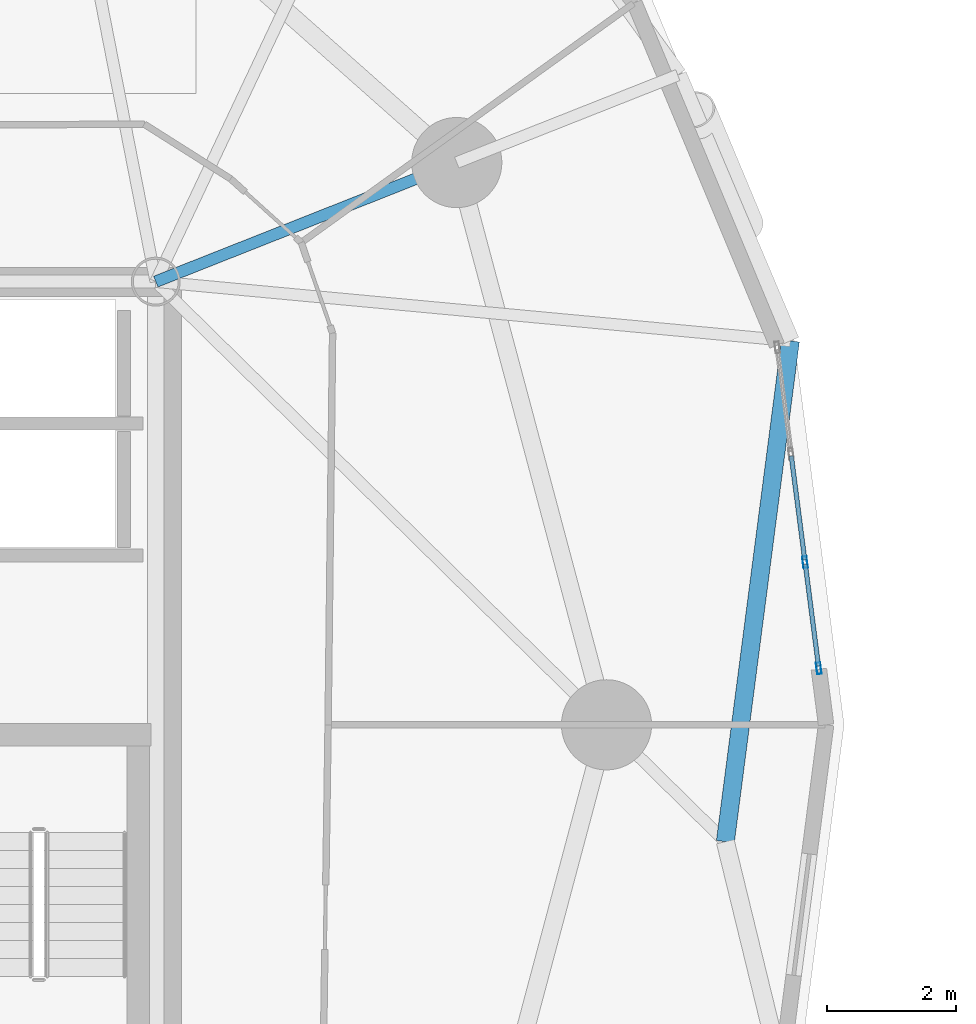
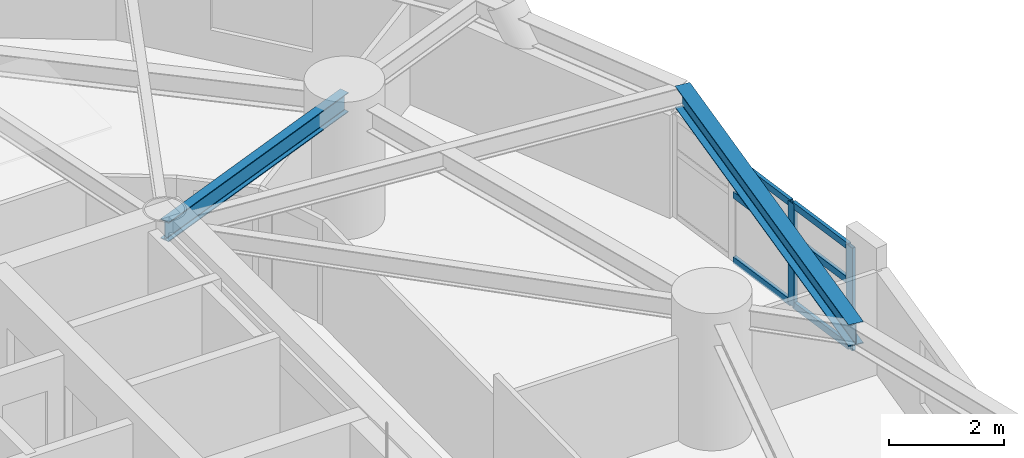
# One storey, part 2 of 17: 8 members, 2 beams, 1 element without a shape of its own.
"""IFC4 building model written with IfcOpenShell, lengths in metres."""

import ifcopenshell
import ifcopenshell.guid

model = None  # the IFC model being written
_history = None  # IfcOwnerHistory: only IFC2X3 demands one
_inside = {}  # id of a spatial element -> (the spatial element, [elements in it])
_under = {}  # id of a project, library or spatial element -> (it, [spatial elements below it])
_declared = {}  # id of a project -> (the project, [libraries it declares])
_typed = {}  # id of a type object -> (the type object, [elements of that type])
_made_of = {}  # id of a material, layer set ... -> (it, [elements and type objects made of it])


def new_model(schema):
    """Start an empty IFC model of exactly this schema.

    Asked for "IFC4X3", IfcOpenShell would pick the latest addendum, in which some entities
    have other attributes; the version numbers below select the first issue.
    IFC2X3 requires an IfcOwnerHistory on every rooted entity: one is made here for all.
    """
    global model, _history
    if schema == "IFC4X3":
        model = ifcopenshell.file(schema_version=(4, 3, 0, 0))
    else:
        model = ifcopenshell.file(schema=schema)
    _inside.clear()
    _under.clear()
    _declared.clear()
    _typed.clear()
    _made_of.clear()
    _history = None
    if model.schema == "IFC2X3":
        org = make("IfcOrganization", Name="unknown")
        user = make(
            "IfcPersonAndOrganization",
            ThePerson=make("IfcPerson", FamilyName="unknown"),
            TheOrganization=org,
        )
        app = make(
            "IfcApplication",
            ApplicationDeveloper=org,
            Version="unknown",
            ApplicationFullName="unknown",
            ApplicationIdentifier="unknown",
        )
        _history = make(
            "IfcOwnerHistory",
            OwningUser=user,
            OwningApplication=app,
            ChangeAction="ADDED",
            CreationDate=0,
        )
    return model


def make(cls, **values):
    """One entity of the class cls with the attributes given. An attribute that is None is left unset."""
    return model.create_entity(
        cls, **{name: value for name, value in values.items() if value is not None}
    )


def rooted(cls, **values):
    """An entity with a GlobalId (a new one), such as an element, a storey or a relation."""
    return make(cls, GlobalId=ifcopenshell.guid.new(), OwnerHistory=_history, **values)


def si_unit(unit_type, name, prefix=None):
    """IfcSIUnit, for example si_unit("LENGTHUNIT", "METRE", prefix="MILLI")."""
    return make("IfcSIUnit", UnitType=unit_type, Prefix=prefix, Name=name)


def assignment(units):
    """IfcUnitAssignment: the units of a project."""
    return None if units is None else make("IfcUnitAssignment", Units=units)


def point(xyz):
    """IfcCartesianPoint."""
    return None if xyz is None else make("IfcCartesianPoint", Coordinates=xyz)


def direction(xyz):
    """IfcDirection."""
    return None if xyz is None else make("IfcDirection", DirectionRatios=xyz)


def frame(location, z_axis=None, x_axis=None):
    """IfcAxis2Placement3D, a coordinate frame: its origin and axes. An axis left out is left unset."""
    return make(
        "IfcAxis2Placement3D",
        Location=point(location),
        Axis=direction(z_axis),
        RefDirection=direction(x_axis),
    )


def frame_2d(location, x_axis=None):
    """IfcAxis2Placement2D, a coordinate frame in the plane: its origin and x axis."""
    return make(
        "IfcAxis2Placement2D", Location=point(location), RefDirection=direction(x_axis)
    )


def origin():
    """The frame at (0, 0, 0) with its axes left unset."""
    return frame((0.0, 0.0, 0.0))


def origin_2d():
    """The frame at (0, 0) in the plane with its x axis left unset."""
    return frame_2d((0.0, 0.0))


def place(relative_to, where):
    """IfcLocalPlacement: puts the frame where relative to a parent placement (None: the world)."""
    return make(
        "IfcLocalPlacement", PlacementRelTo=relative_to, RelativePlacement=where
    )


def context(
    kind, dimensions, precision=None, world=None, true_north=None, identifier=None
):
    """IfcGeometricRepresentationContext, for example the 3D "Model" context."""
    return make(
        "IfcGeometricRepresentationContext",
        ContextIdentifier=identifier,
        ContextType=kind,
        CoordinateSpaceDimension=dimensions,
        Precision=precision,
        WorldCoordinateSystem=world,
        TrueNorth=true_north,
    )


def subcontext(parent, identifier, kind, view, scale=None):
    """IfcGeometricRepresentationSubContext, for example "Body" below "Model"."""
    return make(
        "IfcGeometricRepresentationSubContext",
        ContextIdentifier=identifier,
        ContextType=kind,
        ParentContext=parent,
        TargetScale=scale,
        TargetView=view,
    )


def project(units=None, contexts=None):
    """IfcProject with its units and contexts."""
    return rooted(
        "IfcProject",
        Name="project",
        RepresentationContexts=contexts,
        UnitsInContext=assignment(units),
    )


def spatial(cls, under=None, at=None, **own):
    """A site, building, storey or space (cls), placed at a placement, below another one or the project."""
    s = rooted(cls, ObjectPlacement=at, **own)
    if under is not None:
        _under.setdefault(under.id(), (under, []))[1].append(s)
    return s


def profile(cls, at=None, kind="AREA", **sizes):
    """A parametric profile (cls). Its sizes go by their IFC names, for example OverallWidth=200.0."""
    return make(cls, ProfileType=kind, Position=at, **sizes)


def hollow_rectangle(**sizes):
    """IfcRectangleHollowProfileDef."""
    return profile("IfcRectangleHollowProfileDef", **sizes)


def i_section(**sizes):
    """IfcIShapeProfileDef."""
    return profile("IfcIShapeProfileDef", **sizes)


def extrude(swept, where, along, depth):
    """IfcExtrudedAreaSolid: the profile swept, set in the frame where, extruded along a direction by depth."""
    return make(
        "IfcExtrudedAreaSolid",
        SweptArea=swept,
        Position=where,
        ExtrudedDirection=direction(along),
        Depth=depth,
    )


def shape(context_of_items, identifier, shape_type, items):
    """IfcShapeRepresentation: the items that make up one representation, for example the "Body"."""
    return make(
        "IfcShapeRepresentation",
        ContextOfItems=context_of_items,
        RepresentationIdentifier=identifier,
        RepresentationType=shape_type,
        Items=items,
    )


def material(Name=None, Category=None):
    """IfcMaterial."""
    return make("IfcMaterial", Name=Name, Category=Category)


def layer(
    of_material, thickness, ventilated=None, Name=None, Category=None, Priority=None
):
    """IfcMaterialLayer: one layer of a wall or slab, of a material (None: an air gap)."""
    return make(
        "IfcMaterialLayer",
        Material=of_material,
        LayerThickness=thickness,
        IsVentilated=ventilated,
        Name=Name,
        Category=Category,
        Priority=Priority,
    )


def layer_set(layers, Name=None):
    """IfcMaterialLayerSet."""
    return make("IfcMaterialLayerSet", MaterialLayers=layers, LayerSetName=Name)


def material_profile(
    of_material, cross_section, Name=None, Category=None, Priority=None
):
    """IfcMaterialProfile: a cross section and its material."""
    return make(
        "IfcMaterialProfile",
        Name=Name,
        Material=of_material,
        Profile=cross_section,
        Priority=Priority,
        Category=Category,
    )


def profile_set(profiles, Name=None, composite=None):
    """IfcMaterialProfileSet."""
    return make(
        "IfcMaterialProfileSet",
        Name=Name,
        MaterialProfiles=profiles,
        CompositeProfile=composite,
    )


def made_of(thing, what):
    """Note that an element or type object is made of a material, layer set ...; save() writes the relation."""
    if what is not None:
        _made_of.setdefault(what.id(), (what, []))[1].append(thing)
    return thing


def type_object(cls, material=None, **own):
    """A type object (cls), such as IfcWallType, which elements share."""
    return made_of(rooted(cls, **own), material)


def element(
    cls,
    number,
    at=None,
    inside=None,
    cuts=None,
    type_object=None,
    material=None,
    context=None,
    identifier="Body",
    shape_type=None,
    held_by="IfcProductDefinitionShape",
    body=None,
    shapes=None,
    **own,
):
    """One element of the class cls, such as IfcWall. Its Tag is "e" and its number.

    at: its placement. inside: the storey or other place that contains it. cuts: it is an
    opening in that element (IfcRelVoidsElement). A single representation is given by context,
    identifier, shape_type and body (its items); several are given by shapes. held_by: the class
    of the entity that holds the representations. save() writes the other relations.
    """
    e = rooted(cls, Tag="e%d" % number, ObjectPlacement=at, **own)
    if body is not None:
        shapes = [shape(context, identifier, shape_type, body)]
    if shapes is not None:
        e.Representation = make(held_by, Representations=shapes)
    if inside is not None:
        _inside.setdefault(inside.id(), (inside, []))[1].append(e)
    if cuts is not None:
        rooted(
            "IfcRelVoidsElement", RelatingBuildingElement=cuts, RelatedOpeningElement=e
        )
    if type_object is not None:
        _typed.setdefault(type_object.id(), (type_object, []))[1].append(e)
    return made_of(e, material)


def aggregate(whole, parts):
    """IfcRelAggregates: a whole, such as a stair, and the parts it consists of."""
    return rooted("IfcRelAggregates", RelatingObject=whole, RelatedObjects=parts)


def save(model, path):
    """Write the relations noted so far, then the file.

    IfcRelAggregates (storeys below a building ...), IfcRelContainedInSpatialStructure (elements
    in a storey), IfcRelDefinesByType, IfcRelAssociatesMaterial and IfcRelDeclares: one each for
    every whole, place, type object, material and project.
    """
    for whole, parts in _under.values():
        aggregate(whole, parts)
    for where, things in _inside.values():
        rooted(
            "IfcRelContainedInSpatialStructure",
            RelatedElements=things,
            RelatingStructure=where,
        )
    for kind, things in _typed.values():
        rooted("IfcRelDefinesByType", RelatedObjects=things, RelatingType=kind)
    for what, things in _made_of.values():
        rooted("IfcRelAssociatesMaterial", RelatedObjects=things, RelatingMaterial=what)
    for by, libraries in _declared.values():
        rooted("IfcRelDeclares", RelatingContext=by, RelatedDefinitions=libraries)
    model.write(path)


model = new_model("IFC4")

# Units and contexts
model_context = context("Model", 3, precision=1e-05, world=origin(), true_north=direction((0.0, 1.0)))
body_context = subcontext(model_context, "Body", "Model", "MODEL_VIEW")
ifc_project = project(units=[si_unit("LENGTHUNIT", "METRE"), si_unit("AREAUNIT", "SQUARE_METRE"), si_unit("VOLUMEUNIT", "CUBIC_METRE"), si_unit("PLANEANGLEUNIT", "RADIAN"), si_unit("MASSUNIT", "GRAM", prefix="KILO")], contexts=[model_context])

# Site, building, storey
site_placement = place(None, origin())
site = spatial("IfcSite", under=ifc_project, at=site_placement, CompositionType="ELEMENT")
building_placement = place(site_placement, origin())
building = spatial("IfcBuilding", under=site, at=building_placement, Name="Cununo Teusaquillo Station Towers", CompositionType="ELEMENT")
storey_placement = place(building_placement, frame((0.0, 0.0, 96.340087890625)))
storey = spatial("IfcBuildingStorey", under=building, at=storey_placement, Name="L30", CompositionType="ELEMENT", Elevation=96.340087890625)

# Beams
ifc_material_1 = material(Name="Steel ASTM A572 Grade 50", Category="steel")
ifc_material_profile_1 = material_profile(ifc_material_1, i_section(OverallWidth=0.180908203125, OverallDepth=0.4169921875, WebThickness=0.010986328125, FlangeThickness=0.018310546875, FilletRadius=0.012939453125, at=origin_2d()), Name="W16X57")
ifc_profile_set_1 = profile_set([ifc_material_profile_1], Name="Steel ASTM A572 Grade 50")
beam_type_1 = type_object("IfcBeamType", Name="BM-RAD-G2", PredefinedType="BEAM", material=ifc_profile_set_1)
beam_1_placement = place(storey_placement, frame((21.675048828125, 31.3798828125, 2.46142578125), z_axis=(0.929864104313, 0.367903176814, 0.0), x_axis=(-0.367903176814, 0.929864104313, 0.0)))
element("IfcBeam", 1, at=beam_1_placement, inside=storey, type_object=beam_type_1, Name="L30 Tower A Radial Girder 02A", PredefinedType="BEAM", context=body_context, shape_type="SweptSolid", body=[
    extrude(i_section(OverallWidth=0.180908203125, OverallDepth=0.4169921875, WebThickness=0.010986328125, FlangeThickness=0.018310546875, FilletRadius=0.012939453125, at=origin_2d()), origin(), (0.0, 0.0, 1.0), 5.02490234375),
])
ifc_material_2 = material(Name="Steel ASTM A572 Grade 50", Category="steel")
ifc_material_profile_2 = material_profile(ifc_material_2, i_section(OverallWidth=0.280029296875, OverallDepth=0.462890625, WebThickness=0.0107421875, FlangeThickness=0.017333984375, FilletRadius=0.013916015625, at=origin_2d()), Name="W18X76")
ifc_profile_set_2 = profile_set([ifc_material_profile_2], Name="Steel ASTM A572 Grade 50")
beam_type_2 = type_object("IfcBeamType", Name="BM-RING-Z2", PredefinedType="SPANDREL", material=ifc_profile_set_2)
beam_2_placement = place(storey_placement, frame((30.51708984375, 22.685791015625, 2.4384765625), z_axis=(0.12888124113, 0.991660035337, 0.0), x_axis=(-0.991660035337, 0.12888124113, 0.0)))
element("IfcBeam", 2, at=beam_2_placement, inside=storey, type_object=beam_type_2, Name="L30 Tower A Spandrel Ring Beam 01", PredefinedType="SPANDREL", context=body_context, shape_type="SweptSolid", body=[
    extrude(i_section(OverallWidth=0.280029296875, OverallDepth=0.462890625, WebThickness=0.0107421875, FlangeThickness=0.017333984375, FilletRadius=0.013916015625, at=origin_2d()), origin(), (0.0, 0.0, 1.0), 7.840576171875),
])

# Curtain wall, members
ifc_material_3 = material(Name="Ceramic-fritted dark low-E double glazing", Category="glass")
ifc_layer = layer(ifc_material_3, 0.179931640625)
ifc_layer_set = layer_set([ifc_layer], Name="Ceramic-fritted dark low-E double glazing")
curtain_wall_type = type_object("IfcCurtainWallType", Name="CW-SYS-04", PredefinedType="USERDEFINED", material=ifc_layer_set)
curtain_wall_placement = place(storey_placement, origin())
curtain_wall = element("IfcCurtainWall", 3, at=curtain_wall_placement, inside=storey, type_object=curtain_wall_type, Name="L30 Tower A Facade Curtain Wall C00", ObjectType="FRITTED GLAZING", PredefinedType="USERDEFINED")
ifc_material_4 = material(Name="Anodised dark bronze aluminium EN AW-6063-T6", Category="aluminium")
ifc_material_profile_3 = material_profile(ifc_material_4, hollow_rectangle(XDim=0.070068359375, YDim=0.179931640625, WallThickness=0.00390625, at=origin_2d()), Name="CW-MULL-70x180")
ifc_profile_set_3 = profile_set([ifc_material_profile_3], Name="Anodised dark bronze aluminium EN AW-6063-T6")
member_type_1 = type_object("IfcMemberType", Name="CWM-180", PredefinedType="MULLION", material=ifc_profile_set_3)
member_1_placement = place(storey_placement, frame((31.754150390625, 27.0263671875, 0.0), z_axis=(0.0, 0.0, 1.0), x_axis=(0.991730764367, 0.128335852387, 0.0)))
member_1 = element("IfcMember", 4, at=member_1_placement, type_object=member_type_1, Name="CW-04 mullion 3", PredefinedType="MULLION", context=body_context, shape_type="SweptSolid", body=[
    extrude(hollow_rectangle(XDim=0.070068359375, YDim=0.179931640625, WallThickness=0.00390625, at=origin_2d()), origin(), (0.0, 0.0, 1.0), 2.178955078125),
])
member_2_placement = place(storey_placement, frame((31.967529296875, 25.377685546875, 0.0), z_axis=(0.0, 0.0, 1.0), x_axis=(0.991730764367, 0.128335852387, 0.0)))
member_2 = element("IfcMember", 5, at=member_2_placement, type_object=member_type_1, Name="CW-04 mullion 4", PredefinedType="MULLION", context=body_context, shape_type="SweptSolid", body=[
    extrude(hollow_rectangle(XDim=0.070068359375, YDim=0.179931640625, WallThickness=0.00390625, at=origin_2d()), origin(), (0.0, 0.0, 1.0), 2.178955078125),
])
ifc_material_5 = material(Name="Anodised dark bronze aluminium EN AW-6063-T6", Category="aluminium")
ifc_material_profile_4 = material_profile(ifc_material_5, hollow_rectangle(XDim=0.070068359375, YDim=0.139892578125, WallThickness=0.00390625, at=origin_2d()), Name="CW-TRAN-70x140")
ifc_profile_set_4 = profile_set([ifc_material_profile_4], Name="Anodised dark bronze aluminium EN AW-6063-T6")
member_type_2 = type_object("IfcMemberType", Name="CWT-140", PredefinedType="USERDEFINED", material=ifc_profile_set_4)
member_3_placement = place(storey_placement, frame((31.540771484375, 28.675048828125, 0.034912109375), z_axis=(0.128261686134, -0.991740359101, 0.0), x_axis=(0.991740359101, 0.128261686134, 0.0)))
member_3 = element("IfcMember", 6, at=member_3_placement, type_object=member_type_2, Name="CW-04 transom 2.1", ObjectType="TRANSOM", PredefinedType="USERDEFINED", context=body_context, shape_type="SweptSolid", body=[
    extrude(hollow_rectangle(XDim=0.070068359375, YDim=0.139892578125, WallThickness=0.00390625, at=origin_2d()), origin(), (0.0, 0.0, 1.0), 1.62744140625),
])
member_4_placement = place(storey_placement, frame((31.540771484375, 28.675048828125, 1.416015625), z_axis=(0.128261686134, -0.991740359101, 0.0), x_axis=(0.991740359101, 0.128261686134, 0.0)))
member_4 = element("IfcMember", 7, at=member_4_placement, type_object=member_type_2, Name="CW-04 transom 2.2", ObjectType="TRANSOM", PredefinedType="USERDEFINED", context=body_context, shape_type="SweptSolid", body=[
    extrude(hollow_rectangle(XDim=0.070068359375, YDim=0.139892578125, WallThickness=0.00390625, at=origin_2d()), origin(), (0.0, 0.0, 1.0), 1.62744140625),
])
member_5_placement = place(storey_placement, frame((31.540771484375, 28.675048828125, 2.143798828125), z_axis=(0.128261686134, -0.991740359101, 0.0), x_axis=(0.991740359101, 0.128261686134, 0.0)))
member_5 = element("IfcMember", 8, at=member_5_placement, type_object=member_type_2, Name="CW-04 transom 2.3", ObjectType="TRANSOM", PredefinedType="USERDEFINED", context=body_context, shape_type="SweptSolid", body=[
    extrude(hollow_rectangle(XDim=0.070068359375, YDim=0.139892578125, WallThickness=0.00390625, at=origin_2d()), origin(), (0.0, 0.0, 1.0), 1.62744140625),
])
member_6_placement = place(storey_placement, frame((31.758544921875, 26.99169921875, 0.034912109375), z_axis=(0.128316698748, -0.991733242774, 0.0), x_axis=(0.991733242774, 0.128316698748, 0.0)))
member_6 = element("IfcMember", 9, at=member_6_placement, type_object=member_type_2, Name="CW-04 transom 3.1", ObjectType="TRANSOM", PredefinedType="USERDEFINED", context=body_context, shape_type="SweptSolid", body=[
    extrude(hollow_rectangle(XDim=0.070068359375, YDim=0.139892578125, WallThickness=0.00390625, at=origin_2d()), origin(), (0.0, 0.0, 1.0), 1.592529296875),
])
member_7_placement = place(storey_placement, frame((31.758544921875, 26.99169921875, 1.416015625), z_axis=(0.128316698748, -0.991733242774, 0.0), x_axis=(0.991733242774, 0.128316698748, 0.0)))
member_7 = element("IfcMember", 10, at=member_7_placement, type_object=member_type_2, Name="CW-04 transom 3.2", ObjectType="TRANSOM", PredefinedType="USERDEFINED", context=body_context, shape_type="SweptSolid", body=[
    extrude(hollow_rectangle(XDim=0.070068359375, YDim=0.139892578125, WallThickness=0.00390625, at=origin_2d()), origin(), (0.0, 0.0, 1.0), 1.592529296875),
])
member_8_placement = place(storey_placement, frame((31.758544921875, 26.99169921875, 2.143798828125), z_axis=(0.128316698748, -0.991733242774, 0.0), x_axis=(0.991733242774, 0.128316698748, 0.0)))
member_8 = element("IfcMember", 11, at=member_8_placement, type_object=member_type_2, Name="CW-04 transom 3.3", ObjectType="TRANSOM", PredefinedType="USERDEFINED", context=body_context, shape_type="SweptSolid", body=[
    extrude(hollow_rectangle(XDim=0.070068359375, YDim=0.139892578125, WallThickness=0.00390625, at=origin_2d()), origin(), (0.0, 0.0, 1.0), 1.592529296875),
])
aggregate(curtain_wall, [member_1, member_2, member_3, member_4, member_5, member_6, member_7, member_8])

save(model, "model.ifc")
